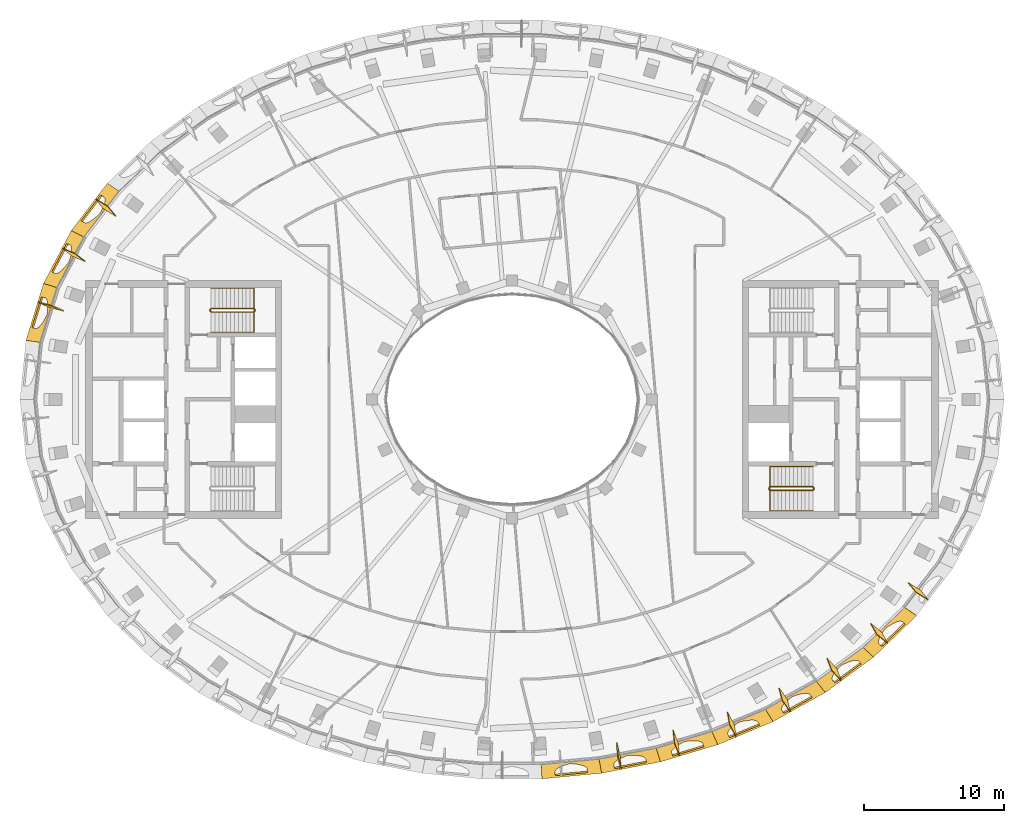
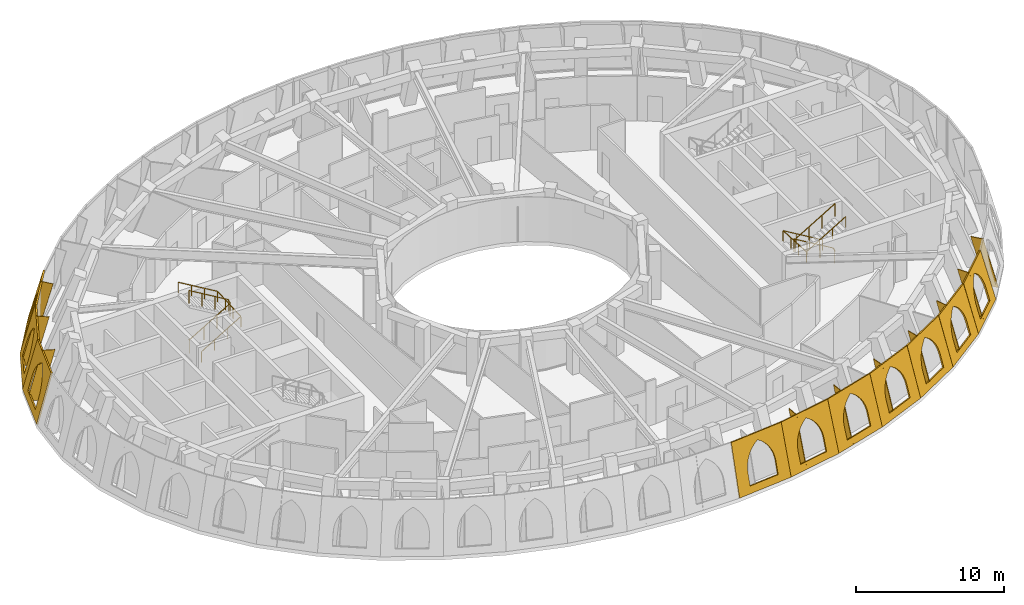
# One storey, part 12 of 14: 20 coverings, 4 railings.
"""IFC4 building model written with IfcOpenShell, lengths in metres."""

from ifc_helpers import new_model, si_unit, direction, frame, origin, origin_2d, place, context, subcontext, project, spatial, polyline, rectangle, outline, extrude, material, layer, layer_set, type_object, element, save


model = new_model("IFC4")

# Units and contexts
model_context = context("Model", 3, precision=1e-05, world=origin(), true_north=direction((0.0, 1.0)))
body_context = subcontext(model_context, "Body", "Model", "MODEL_VIEW")
ifc_project = project(units=[si_unit("LENGTHUNIT", "METRE"), si_unit("AREAUNIT", "SQUARE_METRE"), si_unit("VOLUMEUNIT", "CUBIC_METRE"), si_unit("PLANEANGLEUNIT", "RADIAN"), si_unit("MASSUNIT", "GRAM", prefix="KILO")], contexts=[model_context])

# Site, building, storey
site_placement = place(None, origin())
site = spatial("IfcSite", under=ifc_project, at=site_placement, CompositionType="ELEMENT")
building_placement = place(site_placement, origin())
building = spatial("IfcBuilding", under=site, at=building_placement, Name="Noorbagh Ring Tower", CompositionType="ELEMENT")
storey_placement = place(building_placement, frame((0.0, 0.0, 339.0)))
storey = spatial("IfcBuildingStorey", under=building, at=storey_placement, Name="L74", CompositionType="ELEMENT", Elevation=339.0)

# Railings
ifc_material_1 = material(Name="Stainless steel", Category="steel")
railing_type_1 = type_object("IfcRailingType", Name="CORE-STAIR-GUARD", PredefinedType="GUARDRAIL", material=ifc_material_1)
railing_1_placement = place(storey_placement, frame((-21.580078125, 6.300048828125, 0.0)))
element("IfcRailing", 1, at=railing_1_placement, inside=storey, type_object=railing_type_1, Name="L74 ST1 stair guard", PredefinedType="GUARDRAIL", context=body_context, shape_type="SweptSolid", body=[
    extrude(rectangle(XDim=0.048095703125, YDim=0.048095703125, at=origin_2d()), frame((0.0, 0.0, 1.076171875), z_axis=(0.0, 1.0, 0.0), x_axis=(-1.0, 0.0, 0.0)), (0.0, 0.0, 1.0), 0.14990234375),
    extrude(rectangle(XDim=0.048095703125, YDim=0.048095703125, at=origin_2d()), frame((0.0, 0.14990234375, 1.076171875), z_axis=(0.188775798145, -0.754182335027, 0.628945707965), x_axis=(0.970072785993, 0.242814311512, 0.0)), (0.0, 0.0, 1.0), 0.26513671875),
    extrude(rectangle(XDim=0.048095703125, YDim=0.048095703125, at=origin_2d()), frame((0.050048828125, -0.050048828125, 1.24267578125), z_axis=(0.859308565015, 0.0, 0.511457515432), x_axis=(0.0, 1.0, 0.0)), (0.0, 0.0, 1.0), 3.58447265625),
    extrude(rectangle(XDim=0.048095703125, YDim=0.048095703125, at=origin_2d()), frame((3.130126953125, -0.050048828125, 3.076171875), z_axis=(0.707106781187, 0.707106781187, 0.0), x_axis=(-0.707106781187, 0.707106781187, 0.0)), (0.0, 0.0, 1.0), 0.07080078125),
    extrude(rectangle(XDim=0.048095703125, YDim=0.048095703125, at=origin_2d()), frame((3.18017578125, 0.0, 3.076171875), z_axis=(0.0, 1.0, 0.0), x_axis=(-1.0, 0.0, 0.0)), (0.0, 0.0, 1.0), 0.14990234375),
    extrude(rectangle(XDim=0.048095703125, YDim=0.048095703125, at=origin_2d()), frame((3.18017578125, 0.14990234375, 3.076171875), z_axis=(-0.27628659633, 0.27628659633, 0.920506074601), x_axis=(-0.707106781187, -0.707106781187, 0.0)), (0.0, 0.0, 1.0), 0.18115234375),
    extrude(rectangle(XDim=0.048095703125, YDim=0.048095703125, at=origin_2d()), frame((3.130126953125, 0.199951171875, 3.24267578125), z_axis=(-0.859308565015, 0.0, 0.511457515432), x_axis=(0.0, -1.0, 0.0)), (0.0, 0.0, 1.0), 3.58447265625),
    extrude(rectangle(XDim=0.0419921875, YDim=0.0419921875, at=origin_2d()), origin(), (0.0, 0.0, 1.0), 1.052001953125),
    extrude(rectangle(XDim=0.0419921875, YDim=0.0419921875, at=origin_2d()), frame((1.07666015625, -0.050048828125, 0.77783203125)), (0.0, 0.0, 1.0), 1.052001953125),
    extrude(rectangle(XDim=0.0419921875, YDim=0.0419921875, at=origin_2d()), frame((2.103515625, -0.050048828125, 1.388916015625)), (0.0, 0.0, 1.0), 1.052001953125),
    extrude(rectangle(XDim=0.0419921875, YDim=0.0419921875, at=origin_2d()), frame((3.130126953125, -0.050048828125, 2.0)), (0.0, 0.0, 1.0), 1.052001953125),
    extrude(rectangle(XDim=0.0419921875, YDim=0.0419921875, at=origin_2d()), frame((3.130126953125, 0.199951171875, 2.166748046875)), (0.0, 0.0, 1.0), 1.052001953125),
    extrude(rectangle(XDim=0.0419921875, YDim=0.0419921875, at=origin_2d()), frame((2.103515625, 0.199951171875, 2.77783203125)), (0.0, 0.0, 1.0), 1.052001953125),
    extrude(rectangle(XDim=0.0419921875, YDim=0.0419921875, at=origin_2d()), frame((1.07666015625, 0.199951171875, 3.388916015625)), (0.0, 0.0, 1.0), 1.052001953125),
    extrude(rectangle(XDim=0.0419921875, YDim=0.0419921875, at=origin_2d()), frame((0.050048828125, 0.199951171875, 4.0)), (0.0, 0.0, 1.0), 1.052001953125),
])
railing_2_placement = place(storey_placement, frame((21.580078125, -6.300048828125, 0.0)))
element("IfcRailing", 2, at=railing_2_placement, inside=storey, type_object=railing_type_1, Name="L74 ST4 stair guard", PredefinedType="GUARDRAIL", context=body_context, shape_type="SweptSolid", body=[
    extrude(rectangle(XDim=0.048095703125, YDim=0.048095703125, at=origin_2d()), frame((0.0, 0.0, 1.076171875), z_axis=(0.0, -1.0, 0.0), x_axis=(1.0, 0.0, 0.0)), (0.0, 0.0, 1.0), 0.14990234375),
    extrude(rectangle(XDim=0.048095703125, YDim=0.048095703125, at=origin_2d()), frame((0.0, -0.14990234375, 1.076171875), z_axis=(-0.188775798145, 0.754182335027, 0.628945707965), x_axis=(-0.970072785993, -0.242814311512, 0.0)), (0.0, 0.0, 1.0), 0.26513671875),
    extrude(rectangle(XDim=0.048095703125, YDim=0.048095703125, at=origin_2d()), frame((-0.050048828125, 0.050048828125, 1.24267578125), z_axis=(-0.859308565015, 0.0, 0.511457515432), x_axis=(0.0, -1.0, 0.0)), (0.0, 0.0, 1.0), 3.58447265625),
    extrude(rectangle(XDim=0.048095703125, YDim=0.048095703125, at=origin_2d()), frame((-3.130126953125, 0.050048828125, 3.076171875), z_axis=(-0.707106781187, -0.707106781187, 0.0), x_axis=(0.707106781187, -0.707106781187, 0.0)), (0.0, 0.0, 1.0), 0.07080078125),
    extrude(rectangle(XDim=0.048095703125, YDim=0.048095703125, at=origin_2d()), frame((-3.18017578125, 0.0, 3.076171875), z_axis=(0.0, -1.0, 0.0), x_axis=(1.0, 0.0, 0.0)), (0.0, 0.0, 1.0), 0.14990234375),
    extrude(rectangle(XDim=0.048095703125, YDim=0.048095703125, at=origin_2d()), frame((-3.18017578125, -0.14990234375, 3.076171875), z_axis=(0.27628659633, -0.27628659633, 0.920506074601), x_axis=(0.707106781187, 0.707106781187, 0.0)), (0.0, 0.0, 1.0), 0.18115234375),
    extrude(rectangle(XDim=0.048095703125, YDim=0.048095703125, at=origin_2d()), frame((-3.130126953125, -0.199951171875, 3.24267578125), z_axis=(0.859308565015, 0.0, 0.511457515432), x_axis=(0.0, 1.0, 0.0)), (0.0, 0.0, 1.0), 3.58447265625),
    extrude(rectangle(XDim=0.0419921875, YDim=0.0419921875, at=origin_2d()), origin(), (0.0, 0.0, 1.0), 1.052001953125),
    extrude(rectangle(XDim=0.0419921875, YDim=0.0419921875, at=origin_2d()), frame((-1.07666015625, 0.050048828125, 0.77783203125)), (0.0, 0.0, 1.0), 1.052001953125),
    extrude(rectangle(XDim=0.0419921875, YDim=0.0419921875, at=origin_2d()), frame((-2.103515625, 0.050048828125, 1.388916015625)), (0.0, 0.0, 1.0), 1.052001953125),
    extrude(rectangle(XDim=0.0419921875, YDim=0.0419921875, at=origin_2d()), frame((-3.130126953125, 0.050048828125, 2.0)), (0.0, 0.0, 1.0), 1.052001953125),
    extrude(rectangle(XDim=0.0419921875, YDim=0.0419921875, at=origin_2d()), frame((-3.130126953125, -0.199951171875, 2.166748046875)), (0.0, 0.0, 1.0), 1.052001953125),
    extrude(rectangle(XDim=0.0419921875, YDim=0.0419921875, at=origin_2d()), frame((-2.103515625, -0.199951171875, 2.77783203125)), (0.0, 0.0, 1.0), 1.052001953125),
    extrude(rectangle(XDim=0.0419921875, YDim=0.0419921875, at=origin_2d()), frame((-1.07666015625, -0.199951171875, 3.388916015625)), (0.0, 0.0, 1.0), 1.052001953125),
    extrude(rectangle(XDim=0.0419921875, YDim=0.0419921875, at=origin_2d()), frame((-0.050048828125, -0.199951171875, 4.0)), (0.0, 0.0, 1.0), 1.052001953125),
])
ifc_material_2 = material(Name="Stainless steel", Category="steel")
railing_type_2 = type_object("IfcRailingType", Name="CORE-STAIR-HANDRAIL", PredefinedType="HANDRAIL", material=ifc_material_2)
railing_3_placement = place(storey_placement, frame((-21.530029296875, 4.800048828125, 0.166748046875)))
element("IfcRailing", 3, at=railing_3_placement, inside=storey, type_object=railing_type_2, Name="L74 ST1 stair handrail", PredefinedType="HANDRAIL", context=body_context, shape_type="SweptSolid", body=[
    extrude(rectangle(XDim=0.048095703125, YDim=0.048095703125, at=origin_2d()), frame((0.0, 0.0, 0.8759765625), z_axis=(0.859308565015, 0.0, 0.511457515432), x_axis=(0.0, 1.0, 0.0)), (0.0, 0.0, 1.0), 3.58447265625),
    extrude(rectangle(XDim=0.048095703125, YDim=0.048095703125, at=origin_2d()), frame((3.080078125, 0.0, 2.708984375), z_axis=(0.0, 0.998601747152, 0.052863509014), x_axis=(-1.0, 0.0, 0.0)), (0.0, 0.0, 1.0), 3.154296875),
    extrude(rectangle(XDim=0.048095703125, YDim=0.048095703125, at=origin_2d()), frame((3.080078125, 3.14990234375, 2.8759765625), z_axis=(-0.859308565015, 0.0, 0.511457515432), x_axis=(0.0, -1.0, 0.0)), (0.0, 0.0, 1.0), 3.58447265625),
    extrude(rectangle(XDim=0.0419921875, YDim=0.0419921875, at=origin_2d()), origin(), (0.0, 0.0, 1.0), 0.851806640625),
    extrude(rectangle(XDim=0.0419921875, YDim=0.0419921875, at=origin_2d()), frame((1.026611328125, 0.0, 0.611083984375)), (0.0, 0.0, 1.0), 0.851806640625),
    extrude(rectangle(XDim=0.0419921875, YDim=0.0419921875, at=origin_2d()), frame((2.053466796875, 0.0, 1.22216796875)), (0.0, 0.0, 1.0), 0.851806640625),
    extrude(rectangle(XDim=0.0419921875, YDim=0.0419921875, at=origin_2d()), frame((3.080078125, 0.0, 1.833251953125)), (0.0, 0.0, 1.0), 0.851806640625),
    extrude(rectangle(XDim=0.0419921875, YDim=0.0419921875, at=origin_2d()), frame((3.080078125, 1.050048828125, 1.888916015625)), (0.0, 0.0, 1.0), 0.851806640625),
    extrude(rectangle(XDim=0.0419921875, YDim=0.0419921875, at=origin_2d()), frame((3.080078125, 2.099853515625, 1.9443359375)), (0.0, 0.0, 1.0), 0.851806640625),
    extrude(rectangle(XDim=0.0419921875, YDim=0.0419921875, at=origin_2d()), frame((3.080078125, 3.14990234375, 2.0)), (0.0, 0.0, 1.0), 0.851806640625),
    extrude(rectangle(XDim=0.0419921875, YDim=0.0419921875, at=origin_2d()), frame((2.053466796875, 3.14990234375, 2.611083984375)), (0.0, 0.0, 1.0), 0.851806640625),
    extrude(rectangle(XDim=0.0419921875, YDim=0.0419921875, at=origin_2d()), frame((1.026611328125, 3.14990234375, 3.22216796875)), (0.0, 0.0, 1.0), 0.851806640625),
    extrude(rectangle(XDim=0.0419921875, YDim=0.0419921875, at=origin_2d()), frame((0.0, 3.14990234375, 3.833251953125)), (0.0, 0.0, 1.0), 0.851806640625),
])
railing_4_placement = place(storey_placement, frame((21.530029296875, -4.800048828125, 0.166748046875)))
element("IfcRailing", 4, at=railing_4_placement, inside=storey, type_object=railing_type_2, Name="L74 ST4 stair handrail", PredefinedType="HANDRAIL", context=body_context, shape_type="SweptSolid", body=[
    extrude(rectangle(XDim=0.048095703125, YDim=0.048095703125, at=origin_2d()), frame((0.0, 0.0, 0.8759765625), z_axis=(-0.859308565015, 0.0, 0.511457515432), x_axis=(0.0, -1.0, 0.0)), (0.0, 0.0, 1.0), 3.58447265625),
    extrude(rectangle(XDim=0.048095703125, YDim=0.048095703125, at=origin_2d()), frame((-3.080078125, 0.0, 2.708984375), z_axis=(0.0, -0.998601747152, 0.052863509014), x_axis=(1.0, 0.0, 0.0)), (0.0, 0.0, 1.0), 3.154296875),
    extrude(rectangle(XDim=0.048095703125, YDim=0.048095703125, at=origin_2d()), frame((-3.080078125, -3.14990234375, 2.8759765625), z_axis=(0.859308565015, 0.0, 0.511457515432), x_axis=(0.0, 1.0, 0.0)), (0.0, 0.0, 1.0), 3.58447265625),
    extrude(rectangle(XDim=0.0419921875, YDim=0.0419921875, at=origin_2d()), origin(), (0.0, 0.0, 1.0), 0.851806640625),
    extrude(rectangle(XDim=0.0419921875, YDim=0.0419921875, at=origin_2d()), frame((-1.026611328125, 0.0, 0.611083984375)), (0.0, 0.0, 1.0), 0.851806640625),
    extrude(rectangle(XDim=0.0419921875, YDim=0.0419921875, at=origin_2d()), frame((-2.053466796875, 0.0, 1.22216796875)), (0.0, 0.0, 1.0), 0.851806640625),
    extrude(rectangle(XDim=0.0419921875, YDim=0.0419921875, at=origin_2d()), frame((-3.080078125, 0.0, 1.833251953125)), (0.0, 0.0, 1.0), 0.851806640625),
    extrude(rectangle(XDim=0.0419921875, YDim=0.0419921875, at=origin_2d()), frame((-3.080078125, -1.050048828125, 1.888916015625)), (0.0, 0.0, 1.0), 0.851806640625),
    extrude(rectangle(XDim=0.0419921875, YDim=0.0419921875, at=origin_2d()), frame((-3.080078125, -2.099853515625, 1.9443359375)), (0.0, 0.0, 1.0), 0.851806640625),
    extrude(rectangle(XDim=0.0419921875, YDim=0.0419921875, at=origin_2d()), frame((-3.080078125, -3.14990234375, 2.0)), (0.0, 0.0, 1.0), 0.851806640625),
    extrude(rectangle(XDim=0.0419921875, YDim=0.0419921875, at=origin_2d()), frame((-2.053466796875, -3.14990234375, 2.611083984375)), (0.0, 0.0, 1.0), 0.851806640625),
    extrude(rectangle(XDim=0.0419921875, YDim=0.0419921875, at=origin_2d()), frame((-1.026611328125, -3.14990234375, 3.22216796875)), (0.0, 0.0, 1.0), 0.851806640625),
    extrude(rectangle(XDim=0.0419921875, YDim=0.0419921875, at=origin_2d()), frame((0.0, -3.14990234375, 3.833251953125)), (0.0, 0.0, 1.0), 0.851806640625),
])

# Coverings
ifc_material_3 = material(Name="Aluminium 6063-T6 black anodised", Category="aluminium")
ifc_layer_1 = layer(ifc_material_3, 0.050048828125)
ifc_layer_set_1 = layer_set([ifc_layer_1], Name="Aluminium 6063-T6 black anodised")
covering_type_1 = type_object("IfcCoveringType", Name="STYLE-HEAD-FIN", PredefinedType="CLADDING", material=ifc_layer_set_1)
covering_1_placement = place(storey_placement, frame((-29.8056640625, 14.337646484375, 0.0), z_axis=(-0.765934571321, -0.637783146398, 0.081098030961), x_axis=(0.213117134142, -0.132858379798, 0.967951309753)))
element("IfcCovering", 5, at=covering_1_placement, inside=storey, type_object=covering_type_1, Name="Fin rib F20 L74", ObjectType="FIN", PredefinedType="CLADDING", context=body_context, shape_type="SweptSolid", body=[
    extrude(outline(polyline([(0.0, 0.0), (4.1309259215421426, 1.1102230246251565e-16), (4.345557540049579, -0.8740745313821434), (0.2146316185074367, -0.8740745313821435), (0.0, 0.0)])), origin(), (0.0, 0.0, -1.0), 0.050048828125),
])
covering_2_placement = place(storey_placement, frame((-32.191162109375, 10.81787109375, 0.0), z_axis=(-0.612918042037, -0.787534710374, 0.06419153918), x_axis=(0.230022619855, -0.100117759002, 0.968021708789)))
element("IfcCovering", 6, at=covering_2_placement, inside=storey, type_object=covering_type_1, Name="Fin rib F21 L74", ObjectType="FIN", PredefinedType="CLADDING", context=body_context, shape_type="SweptSolid", body=[
    extrude(outline(polyline([(0.0, 0.0), (4.130877707149869, -1.1102230246251565e-16), (4.3495794668028545, -0.8729696916994689), (0.21870175965298533, -0.8729696916994689), (0.0, 0.0)])), origin(), (0.0, 0.0, -1.0), 0.050048828125),
])
covering_3_placement = place(storey_placement, frame((-33.9287109375, 6.94580078125, 0.0), z_axis=(-0.403681730084, -0.914009153883, 0.04035253912), x_axis=(0.242147697081, -0.064205919249, 0.96811264465)))
element("IfcCovering", 7, at=covering_3_placement, inside=storey, type_object=covering_type_1, Name="Fin rib F22 L74", ObjectType="FIN", PredefinedType="CLADDING", context=body_context, shape_type="SweptSolid", body=[
    extrude(outline(polyline([(0.0, 0.0), (4.130987348921082, 0.0), (4.353733148729419, -0.8721609513344278), (0.22270235699148333, -0.8720433506787628), (0.0, 0.0)])), origin(), (0.0, 0.0, -1.0), 0.050048828125),
])
covering_4_placement = place(storey_placement, frame((7.8154296875, -26.4658203125, 0.0), z_axis=(0.997136640044, 0.06327800121, 0.041405502579), x_axis=(-0.055700045437, 0.244245654749, 0.968112372132)))
element("IfcCovering", 8, at=covering_4_placement, inside=storey, type_object=covering_type_1, Name="Fin rib F37 L74", ObjectType="FIN", PredefinedType="CLADDING", context=body_context, shape_type="SweptSolid", body=[
    extrude(outline(polyline([(0.0, 0.0), (4.131252273971412, -1.1102230246251565e-16), (4.353800583153344, -0.8720432469038677), (0.22262153811264102, -0.8722919758365031), (0.0, 0.0)])), origin(), (0.0, 0.0, -1.0), 0.050048828125),
])
covering_5_placement = place(storey_placement, frame((11.989990234375, -25.5146484375, 0.0), z_axis=(0.99255061569, 0.104778256484, 0.062167453394), x_axis=(-0.085512819515, 0.235677349154, 0.968061849674)))
element("IfcCovering", 9, at=covering_5_placement, inside=storey, type_object=covering_type_1, Name="Fin rib F38 L74", ObjectType="FIN", PredefinedType="CLADDING", context=body_context, shape_type="SweptSolid", body=[
    extrude(outline(polyline([(0.0, 0.0), (4.131210810003646, 1.1102230246251565e-16), (4.350226098859287, -0.8729371069039367), (0.21901528885564106, -0.8729371069039369), (0.0, 0.0)])), origin(), (0.0, 0.0, -1.0), 0.050048828125),
])
covering_6_placement = place(storey_placement, frame((16.04443359375, -24.14599609375, 0.0), z_axis=(0.983267810638, 0.164418819821, 0.078427445787), x_axis=(-0.114537644026, 0.223224293852, 0.968014484776)))
element("IfcCovering", 10, at=covering_6_placement, inside=storey, type_object=covering_type_1, Name="Fin rib F39 L74", ObjectType="FIN", PredefinedType="CLADDING", context=body_context, shape_type="SweptSolid", body=[
    extrude(outline(polyline([(0.0, 0.0), (4.1309085347021295, 0.0), (4.346065375525488, -0.87392459233485), (0.21515684082335937, -0.8739245923348502), (0.0, 0.0)])), origin(), (0.0, 0.0, -1.0), 0.050048828125),
])
covering_7_placement = place(storey_placement, frame((19.92529296875, -22.3505859375, 0.0), z_axis=(0.964800089493, 0.247481624748, 0.088958601189), x_axis=(-0.142308408007, 0.20684361629, 0.96796902606)))
element("IfcCovering", 11, at=covering_7_placement, inside=storey, type_object=covering_type_1, Name="Fin rib F40 L74", ObjectType="FIN", PredefinedType="CLADDING", context=body_context, shape_type="SweptSolid", body=[
    extrude(outline(polyline([(0.0, 0.0), (4.131102534503053, 0.0), (4.343259042194718, -0.8746897307256748), (0.21215650769166475, -0.874689730725675), (0.0, 0.0)])), origin(), (0.0, 0.0, -1.0), 0.050048828125),
])
covering_8_placement = place(storey_placement, frame((23.568115234375, -20.118896484375, 0.0), z_axis=(0.92977668691, 0.356110548058, 0.09327695343), x_axis=(-0.168452510307, 0.186279097236, 0.967948268093)))
element("IfcCovering", 12, at=covering_8_placement, inside=storey, type_object=covering_type_1, Name="Fin rib F41 L74", ObjectType="FIN", PredefinedType="CLADDING", context=body_context, shape_type="SweptSolid", body=[
    extrude(outline(polyline([(0.0, 0.0), (4.13093215422113, 0.0), (4.34175925209165, -0.8751103170587904), (0.21074049347414803, -0.8748068479395689), (0.0, 0.0)])), origin(), (0.0, 0.0, -1.0), 0.050048828125),
])
covering_9_placement = place(storey_placement, frame((26.893798828125, -17.4462890625, 0.0), z_axis=(0.867716131306, 0.488698157388, 0.090790012872), x_axis=(-0.192309656175, 0.161637034308, 0.967931022998)))
element("IfcCovering", 13, at=covering_9_placement, inside=storey, type_object=covering_type_1, Name="Fin rib F42 L74", ObjectType="FIN", PredefinedType="CLADDING", context=body_context, shape_type="SweptSolid", body=[
    extrude(outline(polyline([(0.0, 0.0), (4.131012501144332, 0.0), (4.342698614967231, -0.8747467285113854), (0.21168611382289887, -0.8747467285113855), (0.0, 0.0)])), origin(), (0.0, 0.0, -1.0), 0.050048828125),
])
covering_10_placement = place(storey_placement, frame((29.8056640625, -14.337646484375, 0.0), z_axis=(0.765934571321, 0.637783146398, 0.081098030961), x_axis=(-0.213117134142, 0.132858379798, 0.967951309753)))
element("IfcCovering", 14, at=covering_10_placement, inside=storey, type_object=covering_type_1, Name="Fin rib F43 L74", ObjectType="FIN", PredefinedType="CLADDING", context=body_context, shape_type="SweptSolid", body=[
    extrude(outline(polyline([(0.0, 0.0), (4.1309259215421426, 1.1102230246251565e-16), (4.345557540049579, -0.8740745313821434), (0.2146316185074367, -0.8740745313821435), (0.0, 0.0)])), origin(), (0.0, 0.0, -1.0), 0.050048828125),
])
ifc_material_4 = material(Name="Red sandstone jali", Category="masonry")
ifc_layer_2 = layer(ifc_material_4, 0.1201171875)
ifc_layer_set_2 = layer_set([ifc_layer_2], Name="Red sandstone jali")
covering_type_2 = type_object("IfcCoveringType", Name="STYLE-HEAD-SKIN", PredefinedType="CLADDING", material=ifc_layer_set_2)
covering_11_placement = place(storey_placement, frame((-28.94287109375, 15.468505859375, 0.0), z_axis=(-0.769806606948, 0.587256254075, 0.25005575368), x_axis=(-0.606523552638, -0.795065519354, 5.440989e-06)))
element("IfcCovering", 15, at=covering_11_placement, inside=storey, type_object=covering_type_2, Name="Head skin panel", ObjectType="HEAD SKIN", PredefinedType="CLADDING", context=body_context, shape_type="SweptSolid", body=[
    extrude(outline(polyline([(0.0, 0.0), (4.267333984375, 0.0), (4.0703125, 4.131103515625), (-0.048095703125, 4.13134765625), (0.0, 0.0)]), holes=[polyline([(0.964111328125, 0.550048828125), (0.933349609375, 1.583984375), (0.944091796875, 1.885009765625), (0.994384765625, 2.180908203125), (1.082763671875, 2.466552734375), (1.208251953125, 2.7373046875), (1.368408203125, 2.988037109375), (1.560546875, 3.21484375), (1.781494140625, 3.413818359375), (2.02734375, 3.581298828125), (2.283203125, 3.413818359375), (2.515869140625, 3.21484375), (2.721435546875, 2.988037109375), (2.896484375, 2.7373046875), (3.0380859375, 2.466552734375), (3.1435546875, 2.180908203125), (3.211181640625, 1.885009765625), (3.23974609375, 1.583984375), (3.2705078125, 0.550048828125), (0.964111328125, 0.550048828125)])]), origin(), (0.0, 0.0, -1.0), 0.1201171875),
])
covering_12_placement = place(storey_placement, frame((-31.531005859375, 12.07568359375, 0.0), z_axis=(-0.857301072835, 0.449903017304, 0.250244171834), x_axis=(-0.464689014449, -0.885473952093, -3.94747e-06)))
element("IfcCovering", 16, at=covering_12_placement, inside=storey, type_object=covering_type_2, Name="Head skin panel", ObjectType="HEAD SKIN", PredefinedType="CLADDING", context=body_context, shape_type="SweptSolid", body=[
    extrude(outline(polyline([(0.0, 0.0), (4.26171875, 0.0), (4.083740234375, 4.13134765625), (-0.02392578125, 4.13134765625), (0.0, 0.0)]), holes=[polyline([(0.96728515625, 0.550048828125), (0.94189453125, 1.58935546875), (0.954345703125, 1.8896484375), (1.005859375, 2.184814453125), (1.095458984375, 2.4697265625), (1.221923828125, 2.739501953125), (1.383056640625, 2.98974609375), (1.575927734375, 3.216064453125), (1.79736328125, 3.414306640625), (2.04345703125, 3.58154296875), (2.297607421875, 3.414306640625), (2.52880859375, 3.216064453125), (2.732666015625, 2.98974609375), (2.906005859375, 2.739501953125), (3.045654296875, 2.4697265625), (3.1494140625, 2.184814453125), (3.215087890625, 1.8896484375), (3.2421875, 1.58935546875), (3.267578125, 0.550048828125), (0.96728515625, 0.550048828125)])]), origin(), (0.0, 0.0, -1.0), 0.1201171875),
])
covering_13_placement = place(storey_placement, frame((-33.511474609375, 8.302001953125, 0.0), z_axis=(-0.925405119707, 0.28455507288, 0.250307360897), x_axis=(-0.293911398651, -0.955832668276, -3.13492e-07)))
element("IfcCovering", 17, at=covering_13_placement, inside=storey, type_object=covering_type_2, Name="Head skin panel", ObjectType="HEAD SKIN", PredefinedType="CLADDING", context=body_context, shape_type="SweptSolid", body=[
    extrude(outline(polyline([(0.0, 0.0), (4.257080078125, 0.0), (4.11083984375, 4.131591796875), (0.01220703125, 4.131591796875), (0.0, 0.0)]), holes=[polyline([(0.97216796875, 0.550048828125), (0.955078125, 1.593994140625), (0.969970703125, 1.8935546875), (1.023681640625, 2.18798828125), (1.115478515625, 2.47216796875), (1.244140625, 2.741455078125), (1.40673828125, 2.9912109375), (1.60107421875, 3.216796875), (1.823486328125, 3.414794921875), (2.070556640625, 3.58154296875), (2.322998046875, 3.414794921875), (2.5517578125, 3.216796875), (2.75341796875, 2.9912109375), (2.92431640625, 2.741455078125), (3.061279296875, 2.47216796875), (3.16259765625, 2.18798828125), (3.225830078125, 1.8935546875), (3.25048828125, 1.593994140625), (3.267333984375, 0.550048828125), (0.97216796875, 0.550048828125)])]), origin(), (0.0, 0.0, -1.0), 0.1201171875),
])
covering_14_placement = place(storey_placement, frame((2.143798828125, -27.141357421875, 0.0), z_axis=(0.091371199805, -0.963873835539, 0.25019698841), x_axis=(0.995536736907, 0.094374813392, 8.102664e-06)))
element("IfcCovering", 18, at=covering_14_placement, inside=storey, type_object=covering_type_2, Name="Head skin panel", ObjectType="HEAD SKIN", PredefinedType="CLADDING", context=body_context, shape_type="SweptSolid", body=[
    extrude(outline(polyline([(0.0, 0.0), (4.28759765625, 0.0), (4.196044921875, 4.13134765625), (0.03466796875, 4.13134765625), (0.0, 0.0)]), holes=[polyline([(0.974853515625, 0.550048828125), (0.968017578125, 1.5634765625), (0.985595703125, 1.867431640625), (1.043212890625, 2.16650390625), (1.13916015625, 2.455078125), (1.272216796875, 2.728515625), (1.439697265625, 2.98193359375), (1.63916015625, 3.211181640625), (1.866943359375, 3.412109375), (2.119140625, 3.58154296875), (2.373779296875, 3.412109375), (2.604248046875, 3.211181640625), (2.806884765625, 2.98193359375), (2.97802734375, 2.728515625), (3.11474609375, 2.455078125), (3.214599609375, 2.16650390625), (3.276123046875, 1.867431640625), (3.298095703125, 1.5634765625), (3.30517578125, 0.550048828125), (0.974853515625, 0.550048828125)])]), origin(), (0.0, 0.0, -1.0), 0.1201171875),
])
covering_15_placement = place(storey_placement, frame((6.412353515625, -26.736572265625, 0.0), z_axis=(0.183587429931, -0.95059668178, 0.250322999662), x_axis=(0.981857017215, 0.189622777356, -7.284213e-06)))
element("IfcCovering", 19, at=covering_15_placement, inside=storey, type_object=covering_type_2, Name="Head skin panel", ObjectType="HEAD SKIN", PredefinedType="CLADDING", context=body_context, shape_type="SweptSolid", body=[
    extrude(outline(polyline([(0.0, 0.0), (4.28662109375, 0.0), (4.167236328125, 4.131591796875), (0.008056640625, 4.131591796875), (0.0, 0.0)]), holes=[polyline([(0.97119140625, 0.550048828125), (0.95751953125, 1.564453125), (0.973388671875, 1.868408203125), (1.02880859375, 2.167236328125), (1.122802734375, 2.455810546875), (1.25390625, 2.72900390625), (1.419677734375, 2.982421875), (1.617431640625, 3.21142578125), (1.843994140625, 3.412353515625), (2.094970703125, 3.58154296875), (2.3505859375, 3.412353515625), (2.58251953125, 3.21142578125), (2.786376953125, 2.982421875), (2.958984375, 2.72900390625), (3.097412109375, 2.455810546875), (3.19921875, 2.167236328125), (3.2626953125, 1.868408203125), (3.286865234375, 1.564453125), (3.300537109375, 0.550048828125), (0.97119140625, 0.550048828125)])]), origin(), (0.0, 0.0, -1.0), 0.1201171875),
])
covering_16_placement = place(storey_placement, frame((10.621337890625, -25.923828125, 0.0), z_axis=(0.277310135783, -0.927605764172, 0.250293097923), x_axis=(0.958101541355, 0.286428763232, 6.805109e-06)))
element("IfcCovering", 20, at=covering_16_placement, inside=storey, type_object=covering_type_2, Name="Head skin panel", ObjectType="HEAD SKIN", PredefinedType="CLADDING", context=body_context, shape_type="SweptSolid", body=[
    extrude(outline(polyline([(0.0, 0.0), (4.285400390625, 0.0), (4.139892578125, 4.131591796875), (-0.0166015625, 4.131591796875), (0.0, 0.0)]), holes=[polyline([(0.968017578125, 0.550048828125), (0.947998046875, 1.56591796875), (0.962158203125, 1.86962890625), (1.015625, 2.168212890625), (1.10791015625, 2.45654296875), (1.237060546875, 2.7294921875), (1.4013671875, 2.98291015625), (1.597412109375, 3.211669921875), (1.822509765625, 3.412353515625), (2.072265625, 3.58154296875), (2.328857421875, 3.412353515625), (2.5615234375, 3.211669921875), (2.766845703125, 2.98291015625), (2.94091796875, 2.7294921875), (3.0810546875, 2.45654296875), (3.1845703125, 2.168212890625), (3.249755859375, 1.86962890625), (3.275634765625, 1.56591796875), (3.295654296875, 0.550048828125), (0.968017578125, 0.550048828125)])]), origin(), (0.0, 0.0, -1.0), 0.1201171875),
])
covering_17_placement = place(storey_placement, frame((14.72705078125, -24.6962890625, 0.0), z_axis=(0.373211299284, -0.893375598527, 0.250186662399), x_axis=(0.922721064085, 0.38546833571, -7.682566e-06)))
element("IfcCovering", 21, at=covering_17_placement, inside=storey, type_object=covering_type_2, Name="Head skin panel", ObjectType="HEAD SKIN", PredefinedType="CLADDING", context=body_context, shape_type="SweptSolid", body=[
    extrude(outline(polyline([(0.0, 0.0), (4.283203125, 0.0), (4.114501953125, 4.13134765625), (-0.037353515625, 4.13134765625), (0.0, 0.0)]), holes=[polyline([(0.96533203125, 0.550048828125), (0.93994140625, 1.56787109375), (0.952392578125, 1.871337890625), (1.004150390625, 2.169677734375), (1.0947265625, 2.457763671875), (1.222412109375, 2.73046875), (1.38525390625, 2.9833984375), (1.580078125, 3.2119140625), (1.8037109375, 3.41259765625), (2.05224609375, 3.581298828125), (2.309326171875, 3.41259765625), (2.543212890625, 3.2119140625), (2.749267578125, 2.9833984375), (2.924560546875, 2.73046875), (3.06591796875, 2.457763671875), (3.1708984375, 2.169677734375), (3.237548828125, 1.871337890625), (3.264892578125, 1.56787109375), (3.290283203125, 0.550048828125), (0.96533203125, 0.550048828125)])]), origin(), (0.0, 0.0, -1.0), 0.1201171875),
])
covering_18_placement = place(storey_placement, frame((18.67919921875, -23.04541015625, 0.0), z_axis=(0.47150964803, -0.845670662832, 0.250039560549), x_axis=(0.873413924505, 0.48697855854, 1.552784e-06)))
element("IfcCovering", 22, at=covering_18_placement, inside=storey, type_object=covering_type_2, Name="Head skin panel", ObjectType="HEAD SKIN", PredefinedType="CLADDING", context=body_context, shape_type="SweptSolid", body=[
    extrude(outline(polyline([(0.0, 0.0), (4.2802734375, 0.0), (4.09326171875, 4.131103515625), (-0.052490234375, 4.13134765625), (0.0, 0.0)]), holes=[polyline([(0.96337890625, 0.550048828125), (0.933837890625, 1.57080078125), (0.94482421875, 1.873779296875), (0.995361328125, 2.171630859375), (1.084716796875, 2.458984375), (1.211181640625, 2.7314453125), (1.37255859375, 2.98388671875), (1.566162109375, 3.21240234375), (1.78857421875, 3.41259765625), (2.0361328125, 3.581298828125), (2.293701171875, 3.41259765625), (2.527587890625, 3.21240234375), (2.734619140625, 2.98388671875), (2.91064453125, 2.7314453125), (3.052978515625, 2.458984375), (3.15869140625, 2.171630859375), (3.226806640625, 1.873779296875), (3.25537109375, 1.57080078125), (3.284912109375, 0.550048828125), (0.96337890625, 0.550048828125)])]), origin(), (0.0, 0.0, -1.0), 0.1201171875),
])
covering_19_placement = place(storey_placement, frame((22.417724609375, -20.9609375, 0.0), z_axis=(0.571799339726, -0.781399166477, 0.249921703174), x_axis=(0.807007396102, 0.590541330102, 8.830233e-06)))
element("IfcCovering", 23, at=covering_19_placement, inside=storey, type_object=covering_type_2, Name="Head skin panel", ObjectType="HEAD SKIN", PredefinedType="CLADDING", context=body_context, shape_type="SweptSolid", body=[
    extrude(outline(polyline([(0.0, 0.0), (4.276611328125, 0.0), (4.077392578125, 4.131103515625), (-0.060791015625, 4.131103515625), (0.0, 0.0)]), holes=[polyline([(0.96240234375, 0.550048828125), (0.93017578125, 1.57421875), (0.940185546875, 1.876708984375), (0.989990234375, 2.174072265625), (1.07861328125, 2.461181640625), (1.2041015625, 2.73291015625), (1.364501953125, 2.985107421875), (1.55712890625, 3.212890625), (1.77880859375, 3.412841796875), (2.025390625, 3.581298828125), (2.28271484375, 3.412841796875), (2.51708984375, 3.212890625), (2.72412109375, 2.985107421875), (2.900390625, 2.73291015625), (3.04296875, 2.461181640625), (3.1494140625, 2.174072265625), (3.218017578125, 1.876708984375), (3.247314453125, 1.57421875), (3.27978515625, 0.550048828125), (0.96240234375, 0.550048828125)])]), origin(), (0.0, 0.0, -1.0), 0.1201171875),
])
covering_20_placement = place(storey_placement, frame((25.868896484375, -18.435302734375, 0.0), z_axis=(0.672415928624, -0.696699100001, 0.249934357363), x_axis=(0.719535402806, 0.694455761087, -1.449643e-06)))
element("IfcCovering", 24, at=covering_20_placement, inside=storey, type_object=covering_type_2, Name="Head skin panel", ObjectType="HEAD SKIN", PredefinedType="CLADDING", context=body_context, shape_type="SweptSolid", body=[
    extrude(outline(polyline([(0.0, 0.0), (4.272216796875, 0.0), (4.06884765625, 4.131103515625), (-0.06005859375, 4.131103515625), (0.0, 0.0)]), holes=[polyline([(0.96240234375, 0.550048828125), (0.9296875, 1.578857421875), (0.939697265625, 1.880615234375), (0.989501953125, 2.17724609375), (1.077392578125, 2.463623046875), (1.20263671875, 2.73486328125), (1.362548828125, 2.986328125), (1.5546875, 3.213623046875), (1.77587890625, 3.4130859375), (2.02197265625, 3.581298828125), (2.27880859375, 3.4130859375), (2.512451171875, 3.213623046875), (2.71923828125, 2.986328125), (2.895263671875, 2.73486328125), (3.03759765625, 2.463623046875), (3.14404296875, 2.17724609375), (3.21240234375, 1.880615234375), (3.24169921875, 1.578857421875), (3.274658203125, 0.550048828125), (0.96240234375, 0.550048828125)])]), origin(), (0.0, 0.0, -1.0), 0.1201171875),
])

save(model, "model.ifc")
